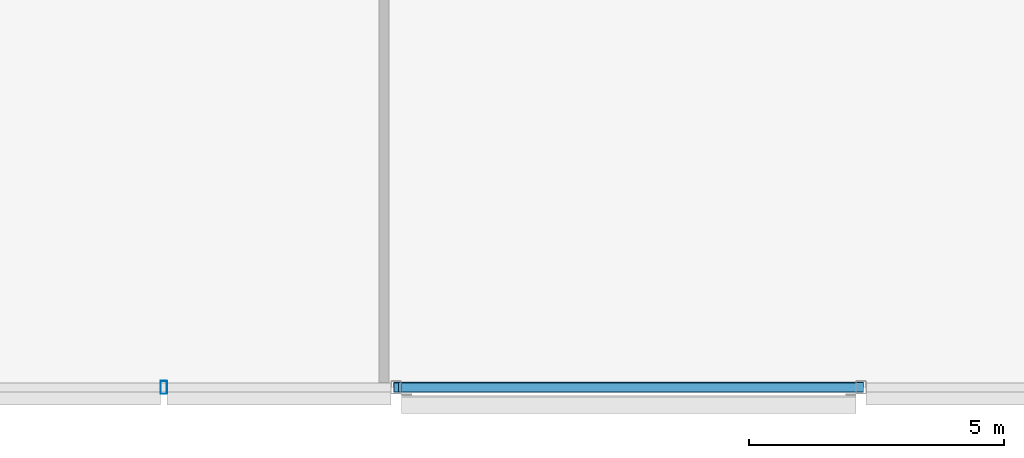
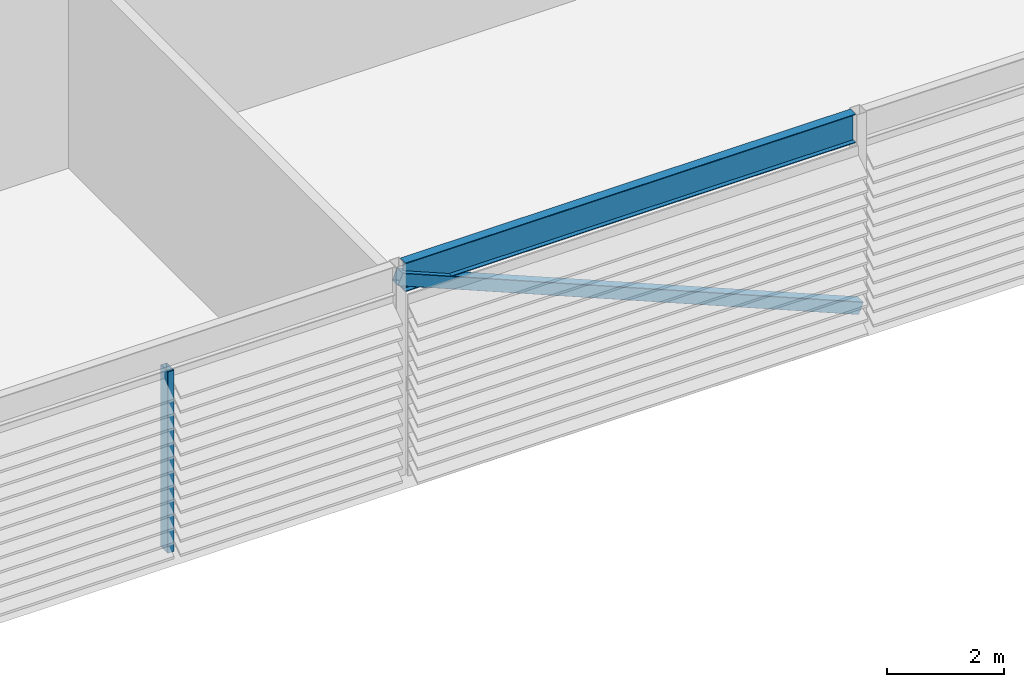
# One storey, part 6 of 27: 2 members, 1 beam.
"""IFC4 building model written with IfcOpenShell, lengths in metres."""

from ifc_helpers import new_model, si_unit, direction, frame, origin, origin_2d, place, context, subcontext, project, spatial, hollow_rectangle, i_section, extrude, material, material_profile, profile_set, type_object, element, save


model = new_model("IFC4")

# Units and contexts
model_context = context("Model", 3, precision=1e-05, world=origin(), true_north=direction((0.0, 1.0)))
body_context = subcontext(model_context, "Body", "Model", "MODEL_VIEW")
ifc_project = project(units=[si_unit("LENGTHUNIT", "METRE"), si_unit("AREAUNIT", "SQUARE_METRE"), si_unit("VOLUMEUNIT", "CUBIC_METRE"), si_unit("PLANEANGLEUNIT", "RADIAN"), si_unit("MASSUNIT", "GRAM", prefix="KILO")], contexts=[model_context])

# Site, building, storey
site_placement = place(None, origin())
site = spatial("IfcSite", under=ifc_project, at=site_placement, CompositionType="ELEMENT")
building_placement = place(site_placement, origin())
building = spatial("IfcBuilding", under=site, at=building_placement, Name="Madar Terraces", CompositionType="ELEMENT")
storey_placement = place(building_placement, frame((0.0, 0.0, 301.10009765625)))
storey = spatial("IfcBuildingStorey", under=building, at=storey_placement, Name="L78", CompositionType="ELEMENT", Elevation=301.10009765625)

# Beam
ifc_material_1 = material(Name="Steel ASTM A992 Grade 50", Category="steel")
ifc_material_profile_1 = material_profile(ifc_material_1, i_section(OverallWidth=0.1787109375, OverallDepth=0.60205078125, WebThickness=0.010986328125, FlangeThickness=0.014892578125, at=origin_2d()), Name="W24x62")
ifc_profile_set_1 = profile_set([ifc_material_profile_1], Name="Steel ASTM A992 Grade 50")
beam_type = type_object("IfcBeamType", Name="CF2 W24x62", PredefinedType="BEAM", material=ifc_profile_set_1)
beam_placement = place(storey_placement, frame((24.341552734375, 1.199951171875, 4.098876953125), z_axis=(1.0, 0.0, 0.0), x_axis=(0.0, 1.0, 0.0)))
element("IfcBeam", 1, at=beam_placement, inside=storey, type_object=beam_type, Name="Crown frame ring beam CF2", PredefinedType="BEAM", context=body_context, shape_type="SweptSolid", body=[
    extrude(i_section(OverallWidth=0.1787109375, OverallDepth=0.60205078125, WebThickness=0.010986328125, FlangeThickness=0.014892578125, at=origin_2d()), origin(), (0.0, 0.0, 1.0), 8.916748046875),
])

# Members
ifc_material_2 = material(Name="Steel ASTM A500 Grade C", Category="steel")
ifc_material_profile_2 = material_profile(ifc_material_2, hollow_rectangle(XDim=0.203125, YDim=0.25390625, WallThickness=0.009521484375, InnerFilletRadius=0.00439453125, OuterFilletRadius=0.01318359375, at=origin_2d()), Name="HSS10x8x.375")
ifc_profile_set_2 = profile_set([ifc_material_profile_2], Name="Steel ASTM A500 Grade C")
member_type_1 = type_object("IfcMemberType", Name="CF5 crown frame brace HSS10x8x.375", PredefinedType="BRACE", material=ifc_profile_set_2)
member_1_placement = place(storey_placement, frame((24.239990234375, 1.199951171875, 4.098876953125), z_axis=(0.923112012079, 0.0, -0.384531160187), x_axis=(0.0, 1.0, 0.0)))
element("IfcMember", 2, at=member_1_placement, inside=storey, type_object=member_type_1, Name="Crown frame brace CF5", PredefinedType="BRACE", context=body_context, shape_type="SweptSolid", body=[
    extrude(hollow_rectangle(XDim=0.203125, YDim=0.25390625, WallThickness=0.009521484375, InnerFilletRadius=0.00439453125, OuterFilletRadius=0.01318359375, at=origin_2d()), origin(), (0.0, 0.0, 1.0), 9.879638671875),
])
ifc_material_3 = material(Name="Steel ASTM A500 Grade C", Category="steel")
ifc_material_profile_3 = material_profile(ifc_material_3, hollow_rectangle(XDim=0.126953125, YDim=0.25390625, WallThickness=0.00634765625, InnerFilletRadius=0.0029296875, OuterFilletRadius=0.0087890625, at=origin_2d()), Name="HSS10x5x.25")
ifc_profile_set_3 = profile_set([ifc_material_profile_3], Name="Steel ASTM A500 Grade C")
member_type_2 = type_object("IfcMemberType", Name="LS2 HSS10x5x.25", PredefinedType="POST", material=ifc_profile_set_3)
member_2_placement = place(storey_placement, frame((19.679931640625, 1.199951171875, 0.0), z_axis=(0.0, 0.0, 1.0), x_axis=(1.0, 0.0, 0.0)))
element("IfcMember", 3, at=member_2_placement, inside=storey, type_object=member_type_2, Name="Crown louvre post LS2", PredefinedType="POST", context=body_context, shape_type="SweptSolid", body=[
    extrude(hollow_rectangle(XDim=0.126953125, YDim=0.25390625, WallThickness=0.00634765625, InnerFilletRadius=0.0029296875, OuterFilletRadius=0.0087890625, at=origin_2d()), origin(), (0.0, 0.0, 1.0), 3.7978515625),
])

save(model, "model.ifc")
